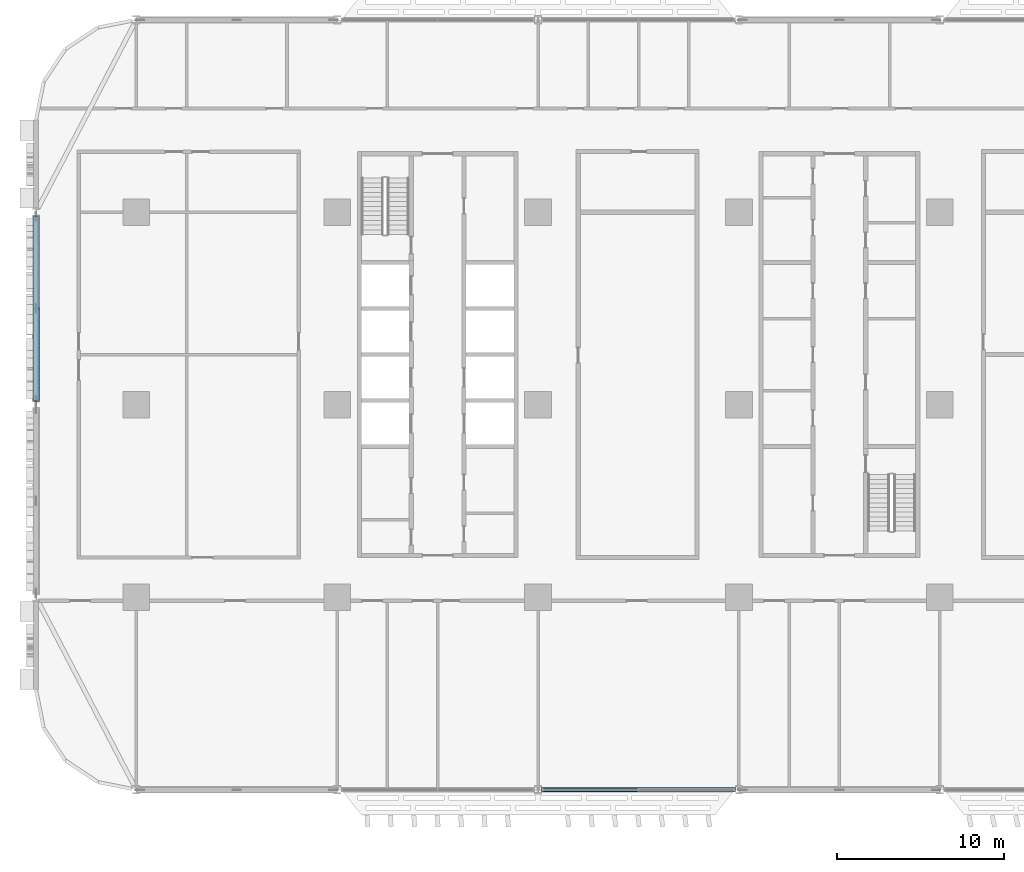
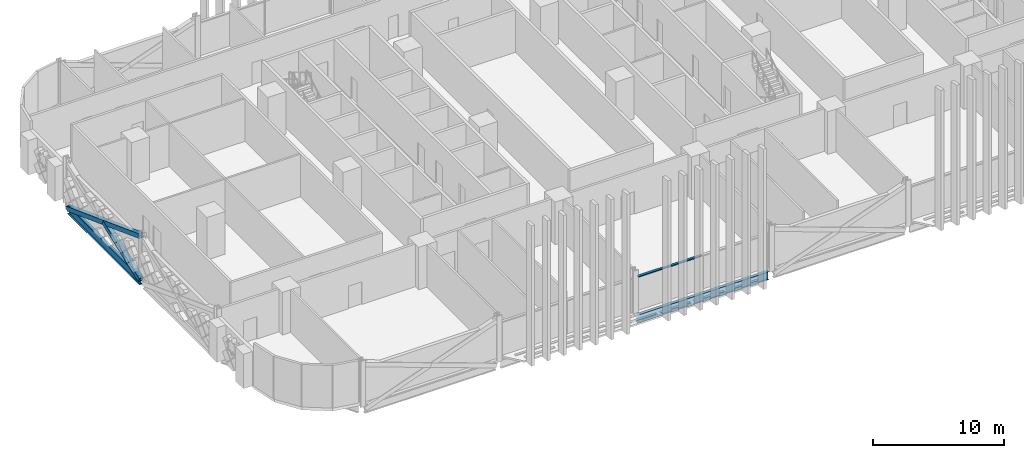
# One storey, part 3 of 29: 3 members, 2 beams, 1 element without a shape of its own.
"""IFC4 building model written with IfcOpenShell, lengths in metres."""

from ifc_helpers import new_model, si_unit, direction, frame, origin, origin_2d, place, context, subcontext, project, spatial, rectangle, hollow_rectangle, i_section, extrude, material, material_profile, profile_set, type_object, element, aggregate, save


model = new_model("IFC4")

# Units and contexts
model_context = context("Model", 3, precision=1e-05, world=origin(), true_north=direction((0.0, 1.0)))
body_context = subcontext(model_context, "Body", "Model", "MODEL_VIEW")
ifc_project = project(units=[si_unit("LENGTHUNIT", "METRE"), si_unit("AREAUNIT", "SQUARE_METRE"), si_unit("VOLUMEUNIT", "CUBIC_METRE"), si_unit("PLANEANGLEUNIT", "RADIAN"), si_unit("MASSUNIT", "GRAM", prefix="KILO")], contexts=[model_context])

# Site, building, storey
site_placement = place(None, origin())
site = spatial("IfcSite", under=ifc_project, at=site_placement, CompositionType="ELEMENT")
building_placement = place(site_placement, origin())
building = spatial("IfcBuilding", under=site, at=building_placement, Name="Mahtab Terrace Research Tower", CompositionType="ELEMENT")
storey_placement = place(building_placement, frame((0.0, 0.0, 24.39990234375)))
storey = spatial("IfcBuildingStorey", under=building, at=storey_placement, Name="L05", CompositionType="ELEMENT", Elevation=24.39990234375)

# Members
ifc_material_1 = material(Name="Steel ASTM A500 Gr C", Category="steel")
ifc_material_profile_1 = material_profile(ifc_material_1, hollow_rectangle(XDim=0.406494140625, YDim=0.406494140625, WallThickness=0.01904296875, at=origin_2d()), Name="HSS16X16X3/4")
ifc_profile_set_1 = profile_set([ifc_material_profile_1], Name="Steel ASTM A500 Gr C")
member_type_1 = type_object("IfcMemberType", Name="HSS 16x16x3/4 brace XB161634", PredefinedType="BRACE", material=ifc_profile_set_1)
member_1_placement = place(storey_placement, frame((-48.0, 11.251220703125, -0.625244140625), z_axis=(0.0, -0.936668691391, 0.350216736563), x_axis=(1.0, 0.0, 0.0)))
element("IfcMember", 1, at=member_1_placement, inside=storey, type_object=member_type_1, Name="Exoskeleton brace L05 09 a", PredefinedType="BRACE", context=body_context, shape_type="SweptSolid", body=[
    extrude(hollow_rectangle(XDim=0.406494140625, YDim=0.406494140625, WallThickness=0.01904296875, at=origin_2d()), origin(), (0.0, 0.0, 1.0), 11.746337890625),
])
member_2_placement = place(storey_placement, frame((-48.0, 0.248779296875, -0.625244140625), z_axis=(0.0, 0.936668691391, 0.350216736563), x_axis=(-1.0, 0.0, 0.0)))
element("IfcMember", 2, at=member_2_placement, inside=storey, type_object=member_type_1, Name="Exoskeleton brace L05 09 b1", PredefinedType="BRACE", context=body_context, shape_type="SweptSolid", body=[
    extrude(hollow_rectangle(XDim=0.406494140625, YDim=0.406494140625, WallThickness=0.01904296875, at=origin_2d()), origin(), (0.0, 0.0, 1.0), 5.873291015625),
])

# Curtain wall, member
ifc_material_2 = material(Name="Laboratory ribbon curtain wall")
curtain_wall_type = type_object("IfcCurtainWallType", Name="Laboratory ribbon curtain wall", PredefinedType="NOTDEFINED", material=ifc_material_2)
curtain_wall_placement = place(storey_placement, origin())
curtain_wall = element("IfcCurtainWall", 3, at=curtain_wall_placement, inside=storey, type_object=curtain_wall_type, Name="EN.L05.13.24", PredefinedType="NOTDEFINED")
ifc_material_3 = material(Name="Natural anodised aluminium", Category="aluminium")
ifc_material_profile_2 = material_profile(ifc_material_3, rectangle(XDim=0.199951171875, YDim=0.10009765625, at=origin_2d()), Name="TRANSOM 100x200")
ifc_profile_set_2 = profile_set([ifc_material_profile_2], Name="Natural anodised aluminium")
member_type_2 = type_object("IfcMemberType", Name="Laboratory ribbon curtain wall transom", PredefinedType="USERDEFINED", material=ifc_profile_set_2)
member_3_placement = place(storey_placement, frame((-17.68603515625, -23.0, 3.153076171875), z_axis=(1.0, 0.0, 0.0), x_axis=(0.0, 1.0, 0.0)))
member_3 = element("IfcMember", 4, at=member_3_placement, type_object=member_type_2, Name="CWL-1 transom 1", ObjectType="TRANSOM", PredefinedType="USERDEFINED", context=body_context, shape_type="SweptSolid", body=[
    extrude(rectangle(XDim=0.199951171875, YDim=0.10009765625, at=origin_2d()), origin(), (0.0, 0.0, 1.0), 5.653564453125),
])
aggregate(curtain_wall, [member_3])

# Beams
ifc_material_4 = material(Name="Steel ASTM A992 Gr 50", Category="steel")
ifc_material_profile_3 = material_profile(ifc_material_4, i_section(OverallWidth=0.2666015625, OverallDepth=0.7568359375, WebThickness=0.013916015625, FlangeThickness=0.019287109375, at=origin_2d()), Name="W30X108")
ifc_profile_set_3 = profile_set([ifc_material_profile_3], Name="Steel ASTM A992 Gr 50")
beam_type = type_object("IfcBeamType", Name="W30x108 beam BS30108", PredefinedType="BEAM", material=ifc_profile_set_3)
beam_1_placement = place(storey_placement, frame((-48.0, 11.251220703125, -0.71826171875), z_axis=(0.0, -1.0, 0.0), x_axis=(1.0, 0.0, 0.0)))
element("IfcBeam", 5, at=beam_1_placement, inside=storey, type_object=beam_type, Name="Spandrel beam L05 09", PredefinedType="BEAM", context=body_context, shape_type="SweptSolid", body=[
    extrude(i_section(OverallWidth=0.2666015625, OverallDepth=0.7568359375, WebThickness=0.013916015625, FlangeThickness=0.019287109375, at=origin_2d()), origin(), (0.0, 0.0, 1.0), 11.00244140625),
])
beam_2_placement = place(storey_placement, frame((-17.7841796875, -23.0, -0.71826171875), z_axis=(1.0, 0.0, 0.0), x_axis=(0.0, 1.0, 0.0)))
element("IfcBeam", 6, at=beam_2_placement, inside=storey, type_object=beam_type, Name="Spandrel beam L05 14", PredefinedType="BEAM", context=body_context, shape_type="SweptSolid", body=[
    extrude(i_section(OverallWidth=0.2666015625, OverallDepth=0.7568359375, WebThickness=0.013916015625, FlangeThickness=0.019287109375, at=origin_2d()), origin(), (0.0, 0.0, 1.0), 11.568359375),
])

save(model, "model.ifc")
